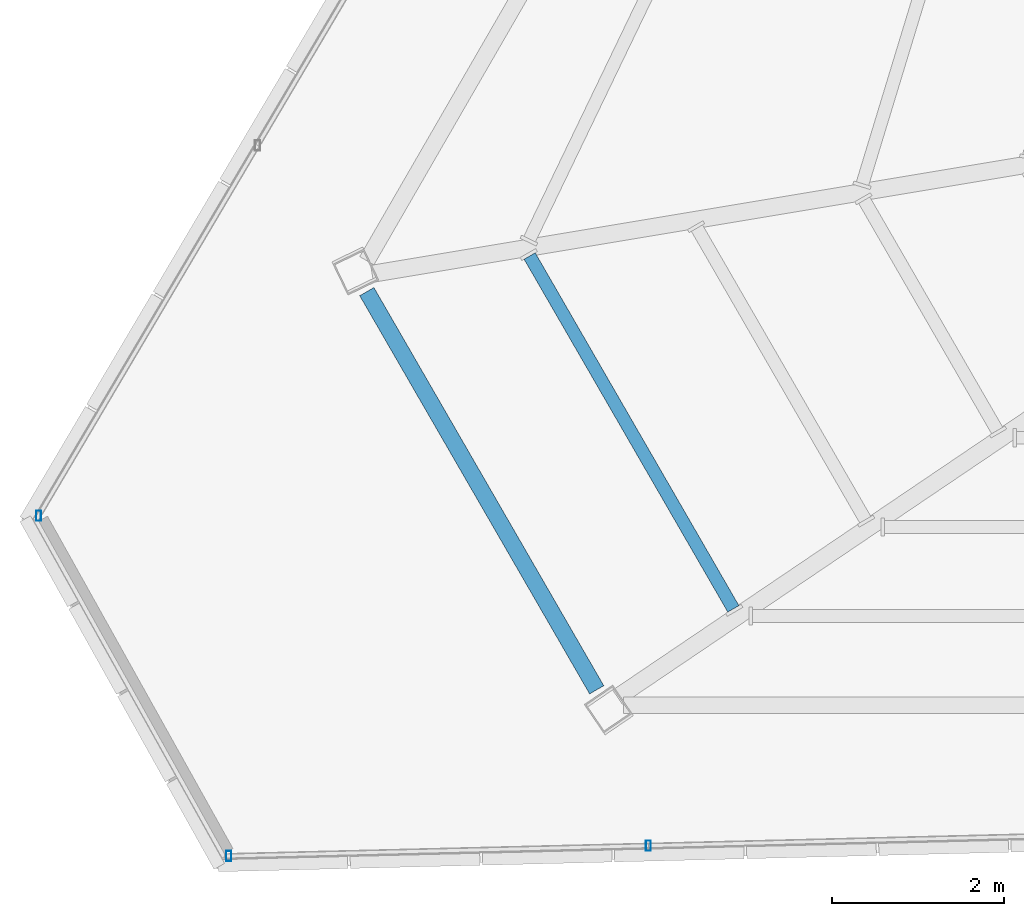
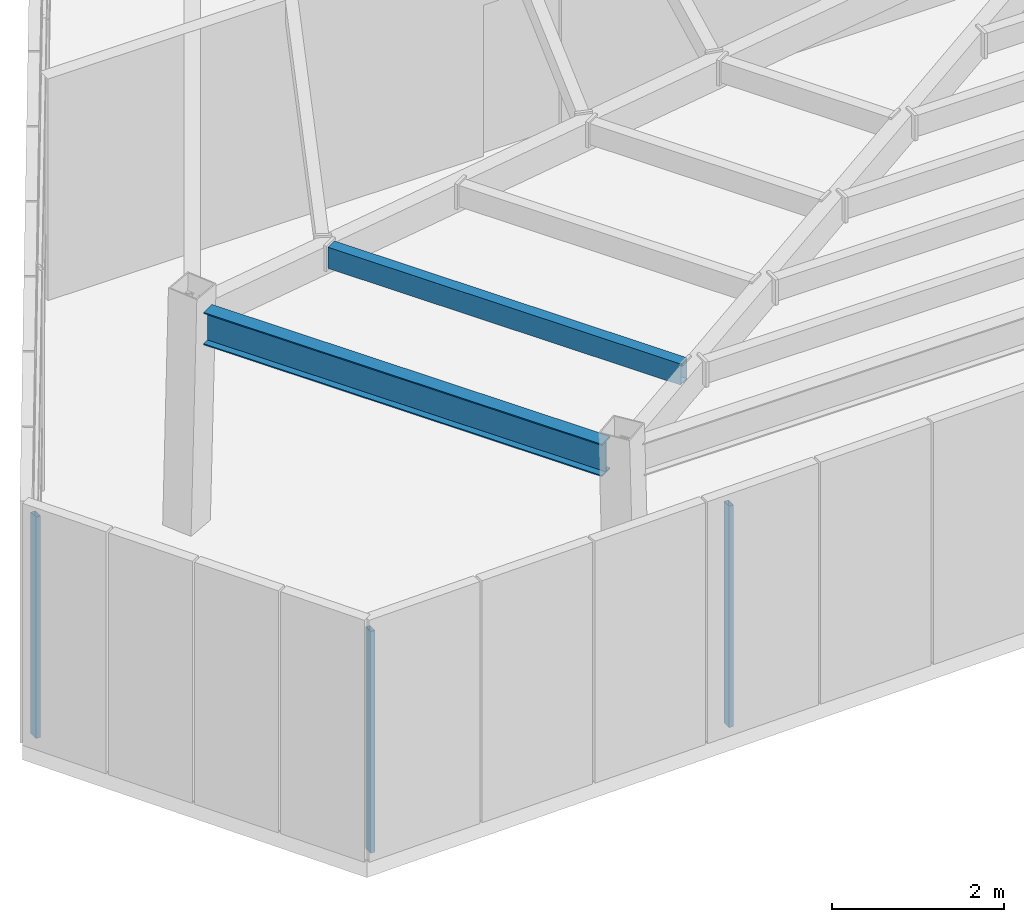
# One storey, part 3 of 47: 3 members, 2 beams, 2 elements without a shape of their own.
"""IFC4 building model written with IfcOpenShell, lengths in metres."""

from ifc_helpers import new_model, si_unit, direction, frame, origin, origin_2d, place, context, subcontext, project, spatial, hollow_rectangle, i_section, extrude, source, transform, mapped, material, material_profile, profile_set, type_object, type_shapes, element, aggregate, save


model = new_model("IFC4")

# Units and contexts
model_context = context("Model", 3, precision=1e-05, world=origin(), true_north=direction((0.0, 1.0)))
body_context = subcontext(model_context, "Body", "Model", "MODEL_VIEW")
ifc_project = project(units=[si_unit("LENGTHUNIT", "METRE"), si_unit("AREAUNIT", "SQUARE_METRE"), si_unit("VOLUMEUNIT", "CUBIC_METRE"), si_unit("PLANEANGLEUNIT", "RADIAN"), si_unit("MASSUNIT", "GRAM", prefix="KILO")], contexts=[model_context])

# Site, building, storey
site_placement = place(None, origin())
site = spatial("IfcSite", under=ifc_project, at=site_placement, CompositionType="ELEMENT")
building_placement = place(site_placement, origin())
building = spatial("IfcBuilding", under=site, at=building_placement, Name="Caelisora Broadcast Tower", CompositionType="ELEMENT")
storey_placement = place(building_placement, frame((0.0, 0.0, 293.199951171875)))
storey = spatial("IfcBuildingStorey", under=building, at=storey_placement, Name="L77", CompositionType="ELEMENT", Elevation=293.199951171875)

# Beams
ifc_material_1 = material(Name="Steel Grade 350 (AS/NZS 3679.1)", Category="steel")
ifc_material_profile_1 = material_profile(ifc_material_1, i_section(OverallWidth=0.19091796875, OverallDepth=0.46044921875, WebThickness=0.010009765625, FlangeThickness=0.01611328125, at=origin_2d()), Name="Steel Grade 350 (AS/NZS 3679.1)")
ifc_profile_set_1 = profile_set([ifc_material_profile_1], Name="Steel Grade 350 (AS/NZS 3679.1)")
beam_type_1 = type_object("IfcBeamType", Name="PG06", PredefinedType="BEAM", material=ifc_profile_set_1)
shared_shape_1 = source(origin(), body_context, "Body", "SweptSolid", [
    extrude(i_section(OverallWidth=0.19091796875, OverallDepth=0.46044921875, WebThickness=0.010009765625, FlangeThickness=0.01611328125, at=origin_2d()), origin(), (0.0, 0.0, 1.0), 5.35546875),
])
type_shapes(beam_type_1, [shared_shape_1])
beam_1_placement = place(storey_placement, frame((16.962890625, 14.9462890625, 2.919921875), z_axis=(0.500002630489, -0.866023885066, 0.0), x_axis=(0.866023885066, 0.500002630489, 0.0)))
element("IfcBeam", 1, at=beam_1_placement, inside=storey, type_object=beam_type_1, Name="L77 beam PG06", PredefinedType="BEAM", context=body_context, shape_type="MappedRepresentation", body=[
    mapped(shared_shape_1, transform((0.0, 0.0, 0.0), scale=1.0)),
])
ifc_material_2 = material(Name="Steel Grade 350 (AS/NZS 1163 C350L0)", Category="steel")
ifc_material_profile_2 = material_profile(ifc_material_2, hollow_rectangle(XDim=0.14990234375, YDim=0.300048828125, WallThickness=0.010009765625, at=origin_2d()), Name="Steel Grade 350 (AS/NZS 1163 C350L0)")
ifc_profile_set_2 = profile_set([ifc_material_profile_2], Name="Steel Grade 350 (AS/NZS 1163 C350L0)")
beam_type_2 = type_object("IfcBeamType", Name="SB05", PredefinedType="JOIST", material=ifc_profile_set_2)
shared_shape_2 = source(origin(), body_context, "Body", "SweptSolid", [
    extrude(hollow_rectangle(XDim=0.14990234375, YDim=0.300048828125, WallThickness=0.010009765625, at=origin_2d()), origin(), (0.0, 0.0, 1.0), 4.745849609375),
])
type_shapes(beam_type_2, [shared_shape_2])
beam_2_placement = place(storey_placement, frame((18.859619140625, 15.361328125, 3.0), z_axis=(0.499973309328, -0.866040813102, 0.0), x_axis=(0.866040813102, 0.499973309328, 0.0)))
element("IfcBeam", 2, at=beam_2_placement, inside=storey, type_object=beam_type_2, Name="L77 beam SB05", PredefinedType="JOIST", context=body_context, shape_type="MappedRepresentation", body=[
    mapped(shared_shape_2, transform((0.0, 0.0, 0.0), scale=1.0)),
])

# Curtain wall, members
ifc_material_3 = material(Name="Unitised Aluminium Insulated Shadow-Box Spandrel Curtain Wall", Category="aluminium")
curtain_wall_type = type_object("IfcCurtainWallType", Name="CW-SP3", PredefinedType="NOTDEFINED", material=ifc_material_3)
curtain_wall_1_placement = place(storey_placement, origin())
curtain_wall_1 = element("IfcCurtainWall", 3, at=curtain_wall_1_placement, inside=storey, type_object=curtain_wall_type, Name="L77 curtain wall CW-SP3", PredefinedType="NOTDEFINED")
ifc_material_4 = material(Name="Aluminium 6063-T6 Anodised Terracotta Bronze", Category="aluminium")
ifc_material_profile_3 = material_profile(ifc_material_4, hollow_rectangle(XDim=0.06005859375, YDim=0.1201171875, WallThickness=0.0029296875, at=origin_2d()), Name="Aluminium 6063-T6 Anodised Terracotta Bronze")
ifc_profile_set_3 = profile_set([ifc_material_profile_3], Name="Aluminium 6063-T6 Anodised Terracotta Bronze")
member_type = type_object("IfcMemberType", Name="CWM-04", PredefinedType="MULLION", material=ifc_profile_set_3)
shared_shape_3 = source(origin(), body_context, "Body", "SweptSolid", [
    extrude(hollow_rectangle(XDim=0.06005859375, YDim=0.1201171875, WallThickness=0.0029296875, at=origin_2d()), origin(), (0.0, 0.0, 1.0), 3.150146484375),
])
type_shapes(member_type, [shared_shape_3])
member_1_placement = place(storey_placement, frame((20.2421875, 8.492431640625, 0.0), z_axis=(0.0, 0.0, 1.0), x_axis=(1.0, 0.0, 0.0)))
member_1 = element("IfcMember", 4, at=member_1_placement, type_object=member_type, Name="L77-CW-B07 mullion #2", PredefinedType="MULLION", context=body_context, shape_type="MappedRepresentation", body=[
    mapped(shared_shape_3, transform((0.0, 0.0, 0.0), scale=1.0)),
])
member_2_placement = place(storey_placement, frame((15.35400390625, 8.372314453125, 0.0), z_axis=(0.0, 0.0, 1.0), x_axis=(1.0, 0.0, 0.0)))
member_2 = element("IfcMember", 5, at=member_2_placement, type_object=member_type, Name="L77-CW-B07 mullion #3", PredefinedType="MULLION", context=body_context, shape_type="MappedRepresentation", body=[
    mapped(shared_shape_3, transform((0.0, 0.0, 0.0), scale=1.0)),
])
aggregate(curtain_wall_1, [member_1, member_2])

# Curtain wall, member
curtain_wall_2_placement = place(storey_placement, origin())
curtain_wall_2 = element("IfcCurtainWall", 6, at=curtain_wall_2_placement, inside=storey, type_object=curtain_wall_type, Name="L77 curtain wall CW-SP3", PredefinedType="NOTDEFINED")
member_3_placement = place(storey_placement, frame((13.140380859375, 12.3359375, 0.0), z_axis=(0.0, 0.0, 1.0), x_axis=(1.0, 0.0, 0.0)))
member_3 = element("IfcMember", 7, at=member_3_placement, type_object=member_type, Name="L77-CW-B09 mullion #0", PredefinedType="MULLION", context=body_context, shape_type="MappedRepresentation", body=[
    mapped(shared_shape_3, transform((0.0, 0.0, 0.0), scale=1.0)),
])
aggregate(curtain_wall_2, [member_3])

save(model, "model.ifc")
